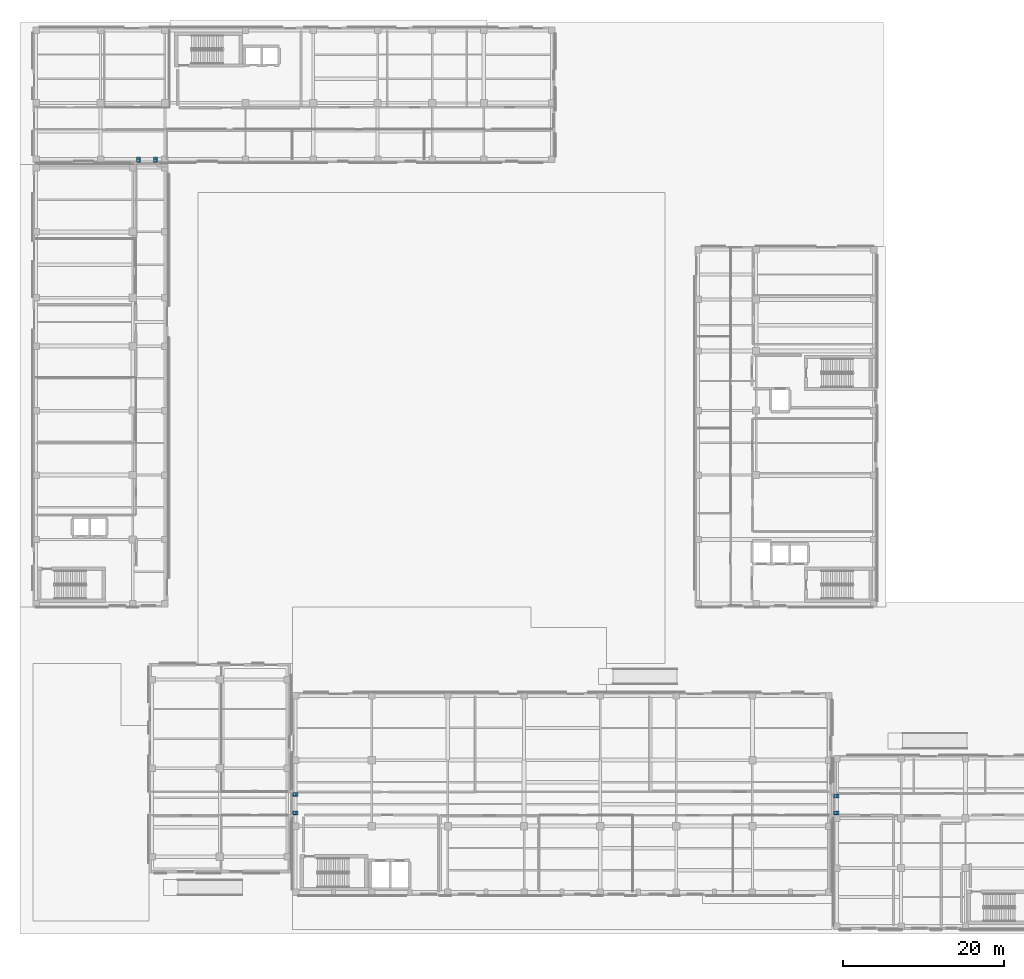
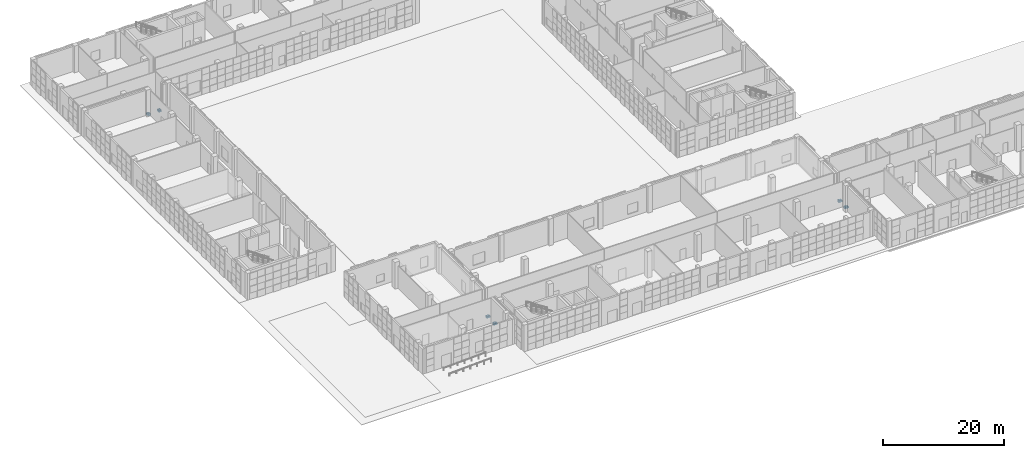
# One storey, part 19 of 40: 12 discrete accessories.
"""IFC4 building model written with IfcOpenShell, lengths in metres."""

import ifcopenshell
import ifcopenshell.guid

model = None  # the IFC model being written
_history = None  # IfcOwnerHistory: only IFC2X3 demands one
_inside = {}  # id of a spatial element -> (the spatial element, [elements in it])
_under = {}  # id of a project, library or spatial element -> (it, [spatial elements below it])
_declared = {}  # id of a project -> (the project, [libraries it declares])
_typed = {}  # id of a type object -> (the type object, [elements of that type])
_made_of = {}  # id of a material, layer set ... -> (it, [elements and type objects made of it])


def new_model(schema):
    """Start an empty IFC model of exactly this schema.

    Asked for "IFC4X3", IfcOpenShell would pick the latest addendum, in which some entities
    have other attributes; the version numbers below select the first issue.
    IFC2X3 requires an IfcOwnerHistory on every rooted entity: one is made here for all.
    """
    global model, _history
    if schema == "IFC4X3":
        model = ifcopenshell.file(schema_version=(4, 3, 0, 0))
    else:
        model = ifcopenshell.file(schema=schema)
    _inside.clear()
    _under.clear()
    _declared.clear()
    _typed.clear()
    _made_of.clear()
    _history = None
    if model.schema == "IFC2X3":
        org = make("IfcOrganization", Name="unknown")
        user = make(
            "IfcPersonAndOrganization",
            ThePerson=make("IfcPerson", FamilyName="unknown"),
            TheOrganization=org,
        )
        app = make(
            "IfcApplication",
            ApplicationDeveloper=org,
            Version="unknown",
            ApplicationFullName="unknown",
            ApplicationIdentifier="unknown",
        )
        _history = make(
            "IfcOwnerHistory",
            OwningUser=user,
            OwningApplication=app,
            ChangeAction="ADDED",
            CreationDate=0,
        )
    return model


def make(cls, **values):
    """One entity of the class cls with the attributes given. An attribute that is None is left unset."""
    return model.create_entity(
        cls, **{name: value for name, value in values.items() if value is not None}
    )


def rooted(cls, **values):
    """An entity with a GlobalId (a new one), such as an element, a storey or a relation."""
    return make(cls, GlobalId=ifcopenshell.guid.new(), OwnerHistory=_history, **values)


def si_unit(unit_type, name, prefix=None):
    """IfcSIUnit, for example si_unit("LENGTHUNIT", "METRE", prefix="MILLI")."""
    return make("IfcSIUnit", UnitType=unit_type, Prefix=prefix, Name=name)


def assignment(units):
    """IfcUnitAssignment: the units of a project."""
    return None if units is None else make("IfcUnitAssignment", Units=units)


def point(xyz):
    """IfcCartesianPoint."""
    return None if xyz is None else make("IfcCartesianPoint", Coordinates=xyz)


def direction(xyz):
    """IfcDirection."""
    return None if xyz is None else make("IfcDirection", DirectionRatios=xyz)


def frame(location, z_axis=None, x_axis=None):
    """IfcAxis2Placement3D, a coordinate frame: its origin and axes. An axis left out is left unset."""
    return make(
        "IfcAxis2Placement3D",
        Location=point(location),
        Axis=direction(z_axis),
        RefDirection=direction(x_axis),
    )


def frame_2d(location, x_axis=None):
    """IfcAxis2Placement2D, a coordinate frame in the plane: its origin and x axis."""
    return make(
        "IfcAxis2Placement2D", Location=point(location), RefDirection=direction(x_axis)
    )


def origin():
    """The frame at (0, 0, 0) with its axes left unset."""
    return frame((0.0, 0.0, 0.0))


def origin_2d():
    """The frame at (0, 0) in the plane with its x axis left unset."""
    return frame_2d((0.0, 0.0))


def place(relative_to, where):
    """IfcLocalPlacement: puts the frame where relative to a parent placement (None: the world)."""
    return make(
        "IfcLocalPlacement", PlacementRelTo=relative_to, RelativePlacement=where
    )


def context(
    kind, dimensions, precision=None, world=None, true_north=None, identifier=None
):
    """IfcGeometricRepresentationContext, for example the 3D "Model" context."""
    return make(
        "IfcGeometricRepresentationContext",
        ContextIdentifier=identifier,
        ContextType=kind,
        CoordinateSpaceDimension=dimensions,
        Precision=precision,
        WorldCoordinateSystem=world,
        TrueNorth=true_north,
    )


def subcontext(parent, identifier, kind, view, scale=None):
    """IfcGeometricRepresentationSubContext, for example "Body" below "Model"."""
    return make(
        "IfcGeometricRepresentationSubContext",
        ContextIdentifier=identifier,
        ContextType=kind,
        ParentContext=parent,
        TargetScale=scale,
        TargetView=view,
    )


def project(units=None, contexts=None):
    """IfcProject with its units and contexts."""
    return rooted(
        "IfcProject",
        Name="project",
        RepresentationContexts=contexts,
        UnitsInContext=assignment(units),
    )


def spatial(cls, under=None, at=None, **own):
    """A site, building, storey or space (cls), placed at a placement, below another one or the project."""
    s = rooted(cls, ObjectPlacement=at, **own)
    if under is not None:
        _under.setdefault(under.id(), (under, []))[1].append(s)
    return s


def profile(cls, at=None, kind="AREA", **sizes):
    """A parametric profile (cls). Its sizes go by their IFC names, for example OverallWidth=200.0."""
    return make(cls, ProfileType=kind, Position=at, **sizes)


def rectangle(**sizes):
    """IfcRectangleProfileDef."""
    return profile("IfcRectangleProfileDef", **sizes)


def extrude(swept, where, along, depth):
    """IfcExtrudedAreaSolid: the profile swept, set in the frame where, extruded along a direction by depth."""
    return make(
        "IfcExtrudedAreaSolid",
        SweptArea=swept,
        Position=where,
        ExtrudedDirection=direction(along),
        Depth=depth,
    )


def shape(context_of_items, identifier, shape_type, items):
    """IfcShapeRepresentation: the items that make up one representation, for example the "Body"."""
    return make(
        "IfcShapeRepresentation",
        ContextOfItems=context_of_items,
        RepresentationIdentifier=identifier,
        RepresentationType=shape_type,
        Items=items,
    )


def material(Name=None, Category=None):
    """IfcMaterial."""
    return make("IfcMaterial", Name=Name, Category=Category)


def made_of(thing, what):
    """Note that an element or type object is made of a material, layer set ...; save() writes the relation."""
    if what is not None:
        _made_of.setdefault(what.id(), (what, []))[1].append(thing)
    return thing


def type_object(cls, material=None, **own):
    """A type object (cls), such as IfcWallType, which elements share."""
    return made_of(rooted(cls, **own), material)


def element(
    cls,
    number,
    at=None,
    inside=None,
    cuts=None,
    type_object=None,
    material=None,
    context=None,
    identifier="Body",
    shape_type=None,
    held_by="IfcProductDefinitionShape",
    body=None,
    shapes=None,
    **own,
):
    """One element of the class cls, such as IfcWall. Its Tag is "e" and its number.

    at: its placement. inside: the storey or other place that contains it. cuts: it is an
    opening in that element (IfcRelVoidsElement). A single representation is given by context,
    identifier, shape_type and body (its items); several are given by shapes. held_by: the class
    of the entity that holds the representations. save() writes the other relations.
    """
    e = rooted(cls, Tag="e%d" % number, ObjectPlacement=at, **own)
    if body is not None:
        shapes = [shape(context, identifier, shape_type, body)]
    if shapes is not None:
        e.Representation = make(held_by, Representations=shapes)
    if inside is not None:
        _inside.setdefault(inside.id(), (inside, []))[1].append(e)
    if cuts is not None:
        rooted(
            "IfcRelVoidsElement", RelatingBuildingElement=cuts, RelatedOpeningElement=e
        )
    if type_object is not None:
        _typed.setdefault(type_object.id(), (type_object, []))[1].append(e)
    return made_of(e, material)


def aggregate(whole, parts):
    """IfcRelAggregates: a whole, such as a stair, and the parts it consists of."""
    return rooted("IfcRelAggregates", RelatingObject=whole, RelatedObjects=parts)


def save(model, path):
    """Write the relations noted so far, then the file.

    IfcRelAggregates (storeys below a building ...), IfcRelContainedInSpatialStructure (elements
    in a storey), IfcRelDefinesByType, IfcRelAssociatesMaterial and IfcRelDeclares: one each for
    every whole, place, type object, material and project.
    """
    for whole, parts in _under.values():
        aggregate(whole, parts)
    for where, things in _inside.values():
        rooted(
            "IfcRelContainedInSpatialStructure",
            RelatedElements=things,
            RelatingStructure=where,
        )
    for kind, things in _typed.values():
        rooted("IfcRelDefinesByType", RelatedObjects=things, RelatingType=kind)
    for what, things in _made_of.values():
        rooted("IfcRelAssociatesMaterial", RelatedObjects=things, RelatingMaterial=what)
    for by, libraries in _declared.values():
        rooted("IfcRelDeclares", RelatingContext=by, RelatedDefinitions=libraries)
    model.write(path)


model = new_model("IFC4")

# Units and contexts
model_context = context("Model", 3, precision=1e-05, world=origin(), true_north=direction((0.0, 1.0)))
body_context = subcontext(model_context, "Body", "Model", "MODEL_VIEW")
ifc_project = project(units=[si_unit("LENGTHUNIT", "METRE"), si_unit("AREAUNIT", "SQUARE_METRE"), si_unit("VOLUMEUNIT", "CUBIC_METRE"), si_unit("PLANEANGLEUNIT", "RADIAN"), si_unit("MASSUNIT", "GRAM", prefix="KILO")], contexts=[model_context])

# Site, building, storey
site_placement = place(None, origin())
site = spatial("IfcSite", under=ifc_project, at=site_placement, CompositionType="ELEMENT")
building_placement = place(site_placement, origin())
building = spatial("IfcBuilding", under=site, at=building_placement, Name="Qalavern Law Courts", CompositionType="ELEMENT")
storey_placement = place(building_placement, origin())
storey = spatial("IfcBuildingStorey", under=building, at=storey_placement, Name="L00", CompositionType="ELEMENT", Elevation=0.0)

# Discrete accessories
ifc_material_1 = material(Name="Concrete C45/55", Category="concrete")
discrete_accessory_type_1 = type_object("IfcDiscreteAccessoryType", Name="STR-CORBEL-700", PredefinedType="BRACKET", material=ifc_material_1)
for number, where, z_axis, x_axis, name in (
    (1, (34.570068359375, 15.449951171875, -0.740234375), (0.0, 0.0, 1.0), (1.0, 0.0, 0.0), "Bridge BR-V1-V2 700 mm corbel seat 1 L00"),
    (2, (34.570068359375, 17.75, -0.740234375), (0.0, 0.0, 1.0), (1.0, 0.0, 0.0), "Bridge BR-V1-V2 700 mm corbel seat 2 L00"),
    (3, (101.77001953125, 15.449951171875, -0.740234375), (0.0, 0.0, 1.0), (1.0, 0.0, 0.0), "Bridge BR-V2-V6 700 mm corbel seat 1 L00"),
    (4, (101.77001953125, 17.550048828125, -0.740234375), (0.0, 0.0, 1.0), (1.0, 0.0, 0.0), "Bridge BR-V2-V6 700 mm corbel seat 2 L00"),
):
    element("IfcDiscreteAccessory", number, at=place(storey_placement, frame(where, z_axis=z_axis, x_axis=x_axis)), inside=storey, type_object=discrete_accessory_type_1, Name=name, PredefinedType="BRACKET", context=body_context, shape_type="SweptSolid", body=[
        extrude(rectangle(XDim=0.699951171875, YDim=0.5, at=origin_2d()), origin(), (0.0, 0.0, 1.0), 0.320068359375),
    ])
for number, where, z_axis, x_axis, name in (
    (5, (15.10009765625, 96.550048828125, -0.740234375), (0.0, 0.0, 1.0), (1.0, 0.0, 0.0), "Bridge BR-V3-V5 700 mm corbel seat 1 L00"),
    (6, (17.199951171875, 96.550048828125, -0.740234375), (0.0, 0.0, 1.0), (1.0, 0.0, 0.0), "Bridge BR-V3-V5 700 mm corbel seat 2 L00"),
):
    element("IfcDiscreteAccessory", number, at=place(storey_placement, frame(where, z_axis=z_axis, x_axis=x_axis)), inside=storey, type_object=discrete_accessory_type_1, Name=name, PredefinedType="BRACKET", context=body_context, shape_type="SweptSolid", body=[
        extrude(rectangle(XDim=0.5, YDim=0.699951171875, at=origin_2d()), origin(), (0.0, 0.0, 1.0), 0.320068359375),
    ])
ifc_material_2 = material(Name="Steel S355", Category="steel")
discrete_accessory_type_2 = type_object("IfcDiscreteAccessoryType", Name="STR-SHOE-PTFE350", PredefinedType="SHOE", material=ifc_material_2)
for number, where, z_axis, x_axis, name in (
    (7, (34.469970703125, 15.449951171875, -0.419921875), (0.0, 0.0, 1.0), (1.0, 0.0, 0.0), "Seismic bridge PTFE sliding bearing 03"),
    (8, (34.469970703125, 17.75, -0.419921875), (0.0, 0.0, 1.0), (1.0, 0.0, 0.0), "Seismic bridge PTFE sliding bearing 04"),
    (9, (101.669921875, 15.449951171875, -0.419921875), (0.0, 0.0, 1.0), (1.0, 0.0, 0.0), "Seismic bridge PTFE sliding bearing 15"),
    (10, (101.669921875, 17.550048828125, -0.419921875), (0.0, 0.0, 1.0), (1.0, 0.0, 0.0), "Seismic bridge PTFE sliding bearing 16"),
):
    element("IfcDiscreteAccessory", number, at=place(storey_placement, frame(where, z_axis=z_axis, x_axis=x_axis)), inside=storey, type_object=discrete_accessory_type_2, Name=name, PredefinedType="SHOE", context=body_context, shape_type="SweptSolid", body=[
        extrude(rectangle(XDim=0.35009765625, YDim=0.449951171875, at=origin_2d()), origin(), (0.0, 0.0, 1.0), 0.080078125),
    ])
for number, where, z_axis, x_axis, name in (
    (11, (15.10009765625, 96.449951171875, -0.419921875), (0.0, 0.0, 1.0), (1.0, 0.0, 0.0), "Seismic bridge PTFE sliding bearing 45"),
    (12, (17.199951171875, 96.449951171875, -0.419921875), (0.0, 0.0, 1.0), (1.0, 0.0, 0.0), "Seismic bridge PTFE sliding bearing 46"),
):
    element("IfcDiscreteAccessory", number, at=place(storey_placement, frame(where, z_axis=z_axis, x_axis=x_axis)), inside=storey, type_object=discrete_accessory_type_2, Name=name, PredefinedType="SHOE", context=body_context, shape_type="SweptSolid", body=[
        extrude(rectangle(XDim=0.449951171875, YDim=0.35009765625, at=origin_2d()), origin(), (0.0, 0.0, 1.0), 0.080078125),
    ])

save(model, "model.ifc")
